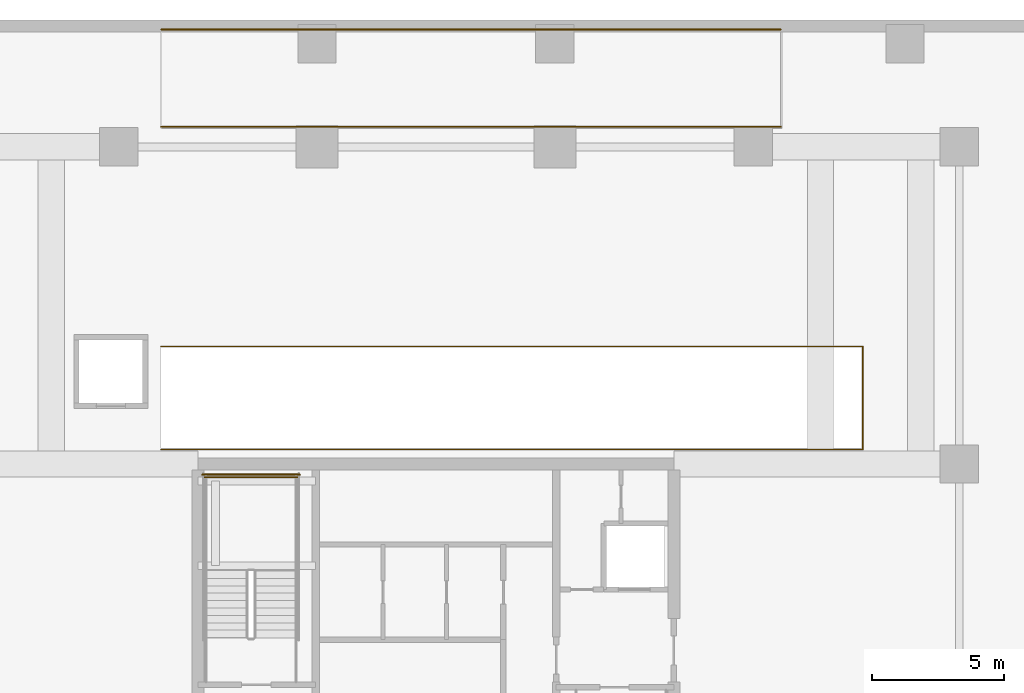
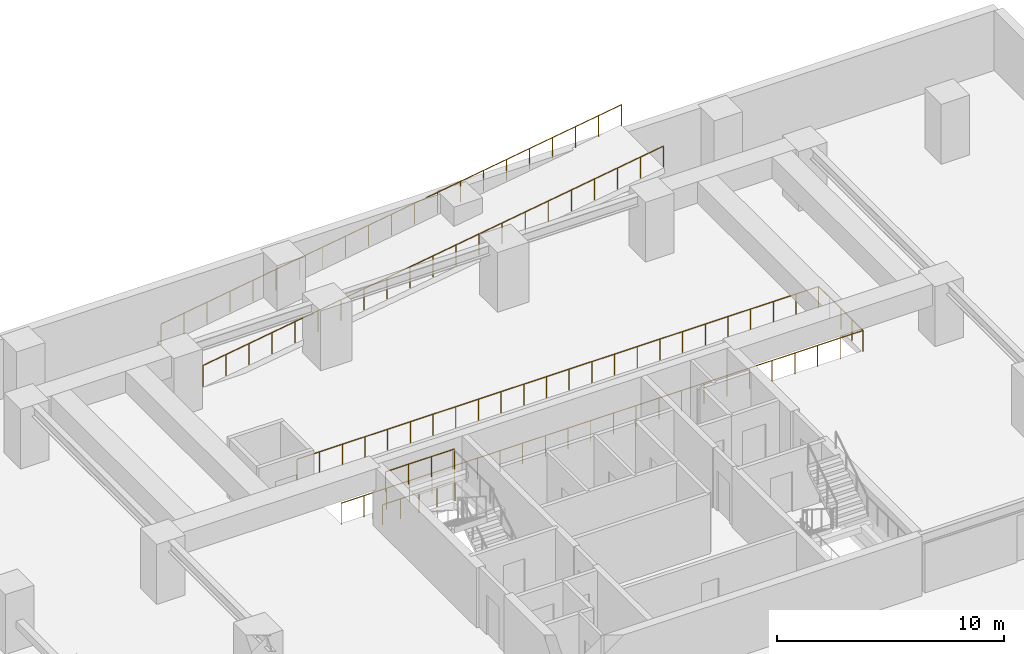
# One storey, part 10 of 10: 5 railings.
"""IFC4 building model written with IfcOpenShell, lengths in metres."""

from ifc_helpers import new_model, si_unit, direction, frame, origin, origin_2d, place, context, subcontext, project, spatial, circle, extrude, material, type_object, element, save


model = new_model("IFC4")

# Units and contexts
model_context = context("Model", 3, precision=1e-05, world=origin(), true_north=direction((0.0, 1.0)))
body_context = subcontext(model_context, "Body", "Model", "MODEL_VIEW")
ifc_project = project(units=[si_unit("LENGTHUNIT", "METRE"), si_unit("AREAUNIT", "SQUARE_METRE"), si_unit("VOLUMEUNIT", "CUBIC_METRE"), si_unit("PLANEANGLEUNIT", "RADIAN"), si_unit("MASSUNIT", "GRAM", prefix="KILO")], contexts=[model_context])

# Site, building, storey
site_placement = place(None, origin())
site = spatial("IfcSite", under=ifc_project, at=site_placement, CompositionType="ELEMENT")
building_placement = place(site_placement, origin())
building = spatial("IfcBuilding", under=site, at=building_placement, Name="Serunith Strait Residences", CompositionType="ELEMENT")
storey_placement = place(building_placement, frame((0.0, 0.0, -3.60009765625)))
storey = spatial("IfcBuildingStorey", under=building, at=storey_placement, Name="B01", CompositionType="ELEMENT", Elevation=-3.60009765625)

# Railings
ifc_material = material(Name="Brushed stainless steel 316L", Category="steel")
railing_type = type_object("IfcRailingType", Name="RLG-STAIR-GUARD", PredefinedType="BALUSTRADE", material=ifc_material)
railing_1_placement = place(storey_placement, frame((27.14990234375, 33.10009765625, 1.800048828125)))
element("IfcRailing", 1, at=railing_1_placement, inside=storey, type_object=railing_type, Name="B01 ST-1 stair guard 5", PredefinedType="BALUSTRADE", context=body_context, shape_type="SweptSolid", body=[
    extrude(circle(Radius=0.02392578125, at=origin_2d()), frame((-0.001953125, 0.0, 1.076171875), z_axis=(-1.0, 0.0, 0.0), x_axis=(0.0, -1.0, 0.0)), (0.0, 0.0, 1.0), 3.49609375),
    extrude(circle(Radius=0.02099609375, at=origin_2d()), origin(), (0.0, 0.0, 1.0), 1.050048828125),
    extrude(circle(Radius=0.02099609375, at=origin_2d()), frame((-1.166748046875, 0.0, 0.0)), (0.0, 0.0, 1.0), 1.050048828125),
    extrude(circle(Radius=0.02099609375, at=origin_2d()), frame((-2.333251953125, 0.0, 0.0)), (0.0, 0.0, 1.0), 1.050048828125),
    extrude(circle(Radius=0.02099609375, at=origin_2d()), frame((-3.5, 0.0, 0.0)), (0.0, 0.0, 1.0), 1.050048828125),
])
railing_2_placement = place(storey_placement, frame((27.25, 33.199951171875, 0.0)))
element("IfcRailing", 2, at=railing_2_placement, inside=storey, type_object=railing_type, Name="B01 ST-1 stair guard 12", PredefinedType="BALUSTRADE", context=body_context, shape_type="SweptSolid", body=[
    extrude(circle(Radius=0.02392578125, at=origin_2d()), frame((-0.001953125, 0.0, 1.076171875), z_axis=(-1.0, 0.0, 0.0), x_axis=(0.0, -1.0, 0.0)), (0.0, 0.0, 1.0), 3.696044921875),
    extrude(circle(Radius=0.02099609375, at=origin_2d()), origin(), (0.0, 0.0, 1.0), 1.050048828125),
    extrude(circle(Radius=0.02099609375, at=origin_2d()), frame((-0.925048828125, 0.0, 0.0)), (0.0, 0.0, 1.0), 1.050048828125),
    extrude(circle(Radius=0.02099609375, at=origin_2d()), frame((-1.85009765625, 0.0, 0.0)), (0.0, 0.0, 1.0), 1.050048828125),
    extrude(circle(Radius=0.02099609375, at=origin_2d()), frame((-2.77490234375, 0.0, 0.0)), (0.0, 0.0, 1.0), 1.050048828125),
    extrude(circle(Radius=0.02099609375, at=origin_2d()), frame((-3.699951171875, 0.0, 0.0)), (0.0, 0.0, 1.0), 1.050048828125),
])
railing_3_placement = place(storey_placement, frame((22.0, 34.14990234375, 0.0)))
element("IfcRailing", 3, at=railing_3_placement, inside=storey, type_object=railing_type, Name="B01 Vehicle Ramp Well Safety Balustrade", PredefinedType="BALUSTRADE", context=body_context, shape_type="SweptSolid", body=[
    extrude(circle(Radius=0.02392578125, at=origin_2d()), frame((0.001953125, 0.0, 1.1259765625), z_axis=(1.0, 0.0, 0.0), x_axis=(0.0, 1.0, 0.0)), (0.0, 0.0, 1.0), 26.546142578125),
    extrude(circle(Radius=0.02392578125, at=origin_2d()), frame((26.550048828125, 0.001953125, 1.1259765625), z_axis=(0.0, 1.0, 0.0), x_axis=(-1.0, 0.0, 0.0)), (0.0, 0.0, 1.0), 3.896240234375),
    extrude(circle(Radius=0.02392578125, at=origin_2d()), frame((26.548095703125, 3.900146484375, 1.1259765625), z_axis=(-1.0, 0.0, 0.0), x_axis=(0.0, -1.0, 0.0)), (0.0, 0.0, 1.0), 26.546142578125),
    extrude(circle(Radius=0.02099609375, at=origin_2d()), origin(), (0.0, 0.0, 1.0), 1.099853515625),
    extrude(circle(Radius=0.02099609375, at=origin_2d()), frame((1.154296875, 0.0, 0.0)), (0.0, 0.0, 1.0), 1.099853515625),
    extrude(circle(Radius=0.02099609375, at=origin_2d()), frame((2.30859375, 0.0, 0.0)), (0.0, 0.0, 1.0), 1.099853515625),
    extrude(circle(Radius=0.02099609375, at=origin_2d()), frame((3.463134765625, 0.0, 0.0)), (0.0, 0.0, 1.0), 1.099853515625),
    extrude(circle(Radius=0.02099609375, at=origin_2d()), frame((4.617431640625, 0.0, 0.0)), (0.0, 0.0, 1.0), 1.099853515625),
    extrude(circle(Radius=0.02099609375, at=origin_2d()), frame((5.771728515625, 0.0, 0.0)), (0.0, 0.0, 1.0), 1.099853515625),
    extrude(circle(Radius=0.02099609375, at=origin_2d()), frame((6.926025390625, 0.0, 0.0)), (0.0, 0.0, 1.0), 1.099853515625),
    extrude(circle(Radius=0.02099609375, at=origin_2d()), frame((8.08056640625, 0.0, 0.0)), (0.0, 0.0, 1.0), 1.099853515625),
    extrude(circle(Radius=0.02099609375, at=origin_2d()), frame((9.23486328125, 0.0, 0.0)), (0.0, 0.0, 1.0), 1.099853515625),
    extrude(circle(Radius=0.02099609375, at=origin_2d()), frame((10.38916015625, 0.0, 0.0)), (0.0, 0.0, 1.0), 1.099853515625),
    extrude(circle(Radius=0.02099609375, at=origin_2d()), frame((11.54345703125, 0.0, 0.0)), (0.0, 0.0, 1.0), 1.099853515625),
    extrude(circle(Radius=0.02099609375, at=origin_2d()), frame((12.69775390625, 0.0, 0.0)), (0.0, 0.0, 1.0), 1.099853515625),
    extrude(circle(Radius=0.02099609375, at=origin_2d()), frame((13.852294921875, 0.0, 0.0)), (0.0, 0.0, 1.0), 1.099853515625),
    extrude(circle(Radius=0.02099609375, at=origin_2d()), frame((15.006591796875, 0.0, 0.0)), (0.0, 0.0, 1.0), 1.099853515625),
    extrude(circle(Radius=0.02099609375, at=origin_2d()), frame((16.160888671875, 0.0, 0.0)), (0.0, 0.0, 1.0), 1.099853515625),
    extrude(circle(Radius=0.02099609375, at=origin_2d()), frame((17.315185546875, 0.0, 0.0)), (0.0, 0.0, 1.0), 1.099853515625),
    extrude(circle(Radius=0.02099609375, at=origin_2d()), frame((18.469482421875, 0.0, 0.0)), (0.0, 0.0, 1.0), 1.099853515625),
    extrude(circle(Radius=0.02099609375, at=origin_2d()), frame((19.6240234375, 0.0, 0.0)), (0.0, 0.0, 1.0), 1.099853515625),
    extrude(circle(Radius=0.02099609375, at=origin_2d()), frame((20.7783203125, 0.0, 0.0)), (0.0, 0.0, 1.0), 1.099853515625),
    extrude(circle(Radius=0.02099609375, at=origin_2d()), frame((21.9326171875, 0.0, 0.0)), (0.0, 0.0, 1.0), 1.099853515625),
    extrude(circle(Radius=0.02099609375, at=origin_2d()), frame((23.0869140625, 0.0, 0.0)), (0.0, 0.0, 1.0), 1.099853515625),
    extrude(circle(Radius=0.02099609375, at=origin_2d()), frame((24.241455078125, 0.0, 0.0)), (0.0, 0.0, 1.0), 1.099853515625),
    extrude(circle(Radius=0.02099609375, at=origin_2d()), frame((25.395751953125, 0.0, 0.0)), (0.0, 0.0, 1.0), 1.099853515625),
    extrude(circle(Radius=0.02099609375, at=origin_2d()), frame((26.550048828125, 0.0, 0.0)), (0.0, 0.0, 1.0), 1.099853515625),
    extrude(circle(Radius=0.02099609375, at=origin_2d()), frame((26.550048828125, 0.97509765625, 0.0)), (0.0, 0.0, 1.0), 1.099853515625),
    extrude(circle(Radius=0.02099609375, at=origin_2d()), frame((26.550048828125, 1.9501953125, 0.0)), (0.0, 0.0, 1.0), 1.099853515625),
    extrude(circle(Radius=0.02099609375, at=origin_2d()), frame((26.550048828125, 2.925048828125, 0.0)), (0.0, 0.0, 1.0), 1.099853515625),
    extrude(circle(Radius=0.02099609375, at=origin_2d()), frame((26.550048828125, 3.900146484375, 0.0)), (0.0, 0.0, 1.0), 1.099853515625),
    extrude(circle(Radius=0.02099609375, at=origin_2d()), frame((25.395751953125, 3.900146484375, 0.0)), (0.0, 0.0, 1.0), 1.099853515625),
    extrude(circle(Radius=0.02099609375, at=origin_2d()), frame((24.241455078125, 3.900146484375, 0.0)), (0.0, 0.0, 1.0), 1.099853515625),
    extrude(circle(Radius=0.02099609375, at=origin_2d()), frame((23.0869140625, 3.900146484375, 0.0)), (0.0, 0.0, 1.0), 1.099853515625),
    extrude(circle(Radius=0.02099609375, at=origin_2d()), frame((21.9326171875, 3.900146484375, 0.0)), (0.0, 0.0, 1.0), 1.099853515625),
    extrude(circle(Radius=0.02099609375, at=origin_2d()), frame((20.7783203125, 3.900146484375, 0.0)), (0.0, 0.0, 1.0), 1.099853515625),
    extrude(circle(Radius=0.02099609375, at=origin_2d()), frame((19.6240234375, 3.900146484375, 0.0)), (0.0, 0.0, 1.0), 1.099853515625),
    extrude(circle(Radius=0.02099609375, at=origin_2d()), frame((18.469482421875, 3.900146484375, 0.0)), (0.0, 0.0, 1.0), 1.099853515625),
    extrude(circle(Radius=0.02099609375, at=origin_2d()), frame((17.315185546875, 3.900146484375, 0.0)), (0.0, 0.0, 1.0), 1.099853515625),
    extrude(circle(Radius=0.02099609375, at=origin_2d()), frame((16.160888671875, 3.900146484375, 0.0)), (0.0, 0.0, 1.0), 1.099853515625),
    extrude(circle(Radius=0.02099609375, at=origin_2d()), frame((15.006591796875, 3.900146484375, 0.0)), (0.0, 0.0, 1.0), 1.099853515625),
    extrude(circle(Radius=0.02099609375, at=origin_2d()), frame((13.852294921875, 3.900146484375, 0.0)), (0.0, 0.0, 1.0), 1.099853515625),
    extrude(circle(Radius=0.02099609375, at=origin_2d()), frame((12.69775390625, 3.900146484375, 0.0)), (0.0, 0.0, 1.0), 1.099853515625),
    extrude(circle(Radius=0.02099609375, at=origin_2d()), frame((11.54345703125, 3.900146484375, 0.0)), (0.0, 0.0, 1.0), 1.099853515625),
    extrude(circle(Radius=0.02099609375, at=origin_2d()), frame((10.38916015625, 3.900146484375, 0.0)), (0.0, 0.0, 1.0), 1.099853515625),
    extrude(circle(Radius=0.02099609375, at=origin_2d()), frame((9.23486328125, 3.900146484375, 0.0)), (0.0, 0.0, 1.0), 1.099853515625),
    extrude(circle(Radius=0.02099609375, at=origin_2d()), frame((8.08056640625, 3.900146484375, 0.0)), (0.0, 0.0, 1.0), 1.099853515625),
    extrude(circle(Radius=0.02099609375, at=origin_2d()), frame((6.926025390625, 3.900146484375, 0.0)), (0.0, 0.0, 1.0), 1.099853515625),
    extrude(circle(Radius=0.02099609375, at=origin_2d()), frame((5.771728515625, 3.900146484375, 0.0)), (0.0, 0.0, 1.0), 1.099853515625),
    extrude(circle(Radius=0.02099609375, at=origin_2d()), frame((4.617431640625, 3.900146484375, 0.0)), (0.0, 0.0, 1.0), 1.099853515625),
    extrude(circle(Radius=0.02099609375, at=origin_2d()), frame((3.463134765625, 3.900146484375, 0.0)), (0.0, 0.0, 1.0), 1.099853515625),
    extrude(circle(Radius=0.02099609375, at=origin_2d()), frame((2.30859375, 3.900146484375, 0.0)), (0.0, 0.0, 1.0), 1.099853515625),
    extrude(circle(Radius=0.02099609375, at=origin_2d()), frame((1.154296875, 3.900146484375, 0.0)), (0.0, 0.0, 1.0), 1.099853515625),
    extrude(circle(Radius=0.02099609375, at=origin_2d()), frame((0.0, 3.900146484375, 0.0)), (0.0, 0.0, 1.0), 1.099853515625),
])
railing_4_placement = place(storey_placement, frame((22.0048828125, 46.360107421875, 0.0)))
element("IfcRailing", 4, at=railing_4_placement, inside=storey, type_object=railing_type, Name="B01 Vehicle Ramp VR-B01-L00 S Safety Balustrade", PredefinedType="BALUSTRADE", context=body_context, shape_type="SweptSolid", body=[
    extrude(circle(Radius=0.02392578125, at=origin_2d()), frame((0.001953125, 0.0, 1.126220703125), z_axis=(0.98841022659, 0.0, 0.151806534681), x_axis=(0.0, 1.0, 0.0)), (0.0, 0.0, 1.0), 23.7109375),
    extrude(circle(Radius=0.02099609375, at=origin_2d()), origin(), (0.0, 0.0, 1.0), 1.099853515625),
    extrude(circle(Radius=0.02099609375, at=origin_2d()), frame((1.172119140625, 0.0, 0.179931640625)), (0.0, 0.0, 1.0), 1.099853515625),
    extrude(circle(Radius=0.02099609375, at=origin_2d()), frame((2.343994140625, 0.0, 0.360107421875)), (0.0, 0.0, 1.0), 1.099853515625),
    extrude(circle(Radius=0.02099609375, at=origin_2d()), frame((3.51611328125, 0.0, 0.5400390625)), (0.0, 0.0, 1.0), 1.099853515625),
    extrude(circle(Radius=0.02099609375, at=origin_2d()), frame((4.68798828125, 0.0, 0.719970703125)), (0.0, 0.0, 1.0), 1.099853515625),
    extrude(circle(Radius=0.02099609375, at=origin_2d()), frame((5.860107421875, 0.0, 0.89990234375)), (0.0, 0.0, 1.0), 1.099853515625),
    extrude(circle(Radius=0.02099609375, at=origin_2d()), frame((7.031982421875, 0.0, 1.080078125)), (0.0, 0.0, 1.0), 1.099853515625),
    extrude(circle(Radius=0.02099609375, at=origin_2d()), frame((8.2041015625, 0.0, 1.260009765625)), (0.0, 0.0, 1.0), 1.099853515625),
    extrude(circle(Radius=0.02099609375, at=origin_2d()), frame((9.3759765625, 0.0, 1.43994140625)), (0.0, 0.0, 1.0), 1.099853515625),
    extrude(circle(Radius=0.02099609375, at=origin_2d()), frame((10.548095703125, 0.0, 1.6201171875)), (0.0, 0.0, 1.0), 1.099853515625),
    extrude(circle(Radius=0.02099609375, at=origin_2d()), frame((11.72021484375, 0.0, 1.800048828125)), (0.0, 0.0, 1.0), 1.099853515625),
    extrude(circle(Radius=0.02099609375, at=origin_2d()), frame((12.89208984375, 0.0, 1.97998046875)), (0.0, 0.0, 1.0), 1.099853515625),
    extrude(circle(Radius=0.02099609375, at=origin_2d()), frame((14.064208984375, 0.0, 2.16015625)), (0.0, 0.0, 1.0), 1.099853515625),
    extrude(circle(Radius=0.02099609375, at=origin_2d()), frame((15.236083984375, 0.0, 2.340087890625)), (0.0, 0.0, 1.0), 1.099853515625),
    extrude(circle(Radius=0.02099609375, at=origin_2d()), frame((16.408203125, 0.0, 2.52001953125)), (0.0, 0.0, 1.0), 1.099853515625),
    extrude(circle(Radius=0.02099609375, at=origin_2d()), frame((17.580078125, 0.0, 2.7001953125)), (0.0, 0.0, 1.0), 1.099853515625),
    extrude(circle(Radius=0.02099609375, at=origin_2d()), frame((18.752197265625, 0.0, 2.880126953125)), (0.0, 0.0, 1.0), 1.099853515625),
    extrude(circle(Radius=0.02099609375, at=origin_2d()), frame((19.924072265625, 0.0, 3.06005859375)), (0.0, 0.0, 1.0), 1.099853515625),
    extrude(circle(Radius=0.02099609375, at=origin_2d()), frame((21.09619140625, 0.0, 3.239990234375)), (0.0, 0.0, 1.0), 1.099853515625),
    extrude(circle(Radius=0.02099609375, at=origin_2d()), frame((22.26806640625, 0.0, 3.420166015625)), (0.0, 0.0, 1.0), 1.099853515625),
    extrude(circle(Radius=0.02099609375, at=origin_2d()), frame((23.440185546875, 0.0, 3.60009765625)), (0.0, 0.0, 1.0), 1.099853515625),
])
railing_5_placement = place(storey_placement, frame((22.0048828125, 50.0400390625, 0.0)))
element("IfcRailing", 5, at=railing_5_placement, inside=storey, type_object=railing_type, Name="B01 Vehicle Ramp VR-B01-L00 N Safety Balustrade", PredefinedType="BALUSTRADE", context=body_context, shape_type="SweptSolid", body=[
    extrude(circle(Radius=0.02392578125, at=origin_2d()), frame((0.001953125, 0.0, 1.126220703125), z_axis=(0.98841022659, 0.0, 0.151806534681), x_axis=(0.0, 1.0, 0.0)), (0.0, 0.0, 1.0), 23.7109375),
    extrude(circle(Radius=0.02099609375, at=origin_2d()), origin(), (0.0, 0.0, 1.0), 1.099853515625),
    extrude(circle(Radius=0.02099609375, at=origin_2d()), frame((1.172119140625, 0.0, 0.179931640625)), (0.0, 0.0, 1.0), 1.099853515625),
    extrude(circle(Radius=0.02099609375, at=origin_2d()), frame((2.343994140625, 0.0, 0.360107421875)), (0.0, 0.0, 1.0), 1.099853515625),
    extrude(circle(Radius=0.02099609375, at=origin_2d()), frame((3.51611328125, 0.0, 0.5400390625)), (0.0, 0.0, 1.0), 1.099853515625),
    extrude(circle(Radius=0.02099609375, at=origin_2d()), frame((4.68798828125, 0.0, 0.719970703125)), (0.0, 0.0, 1.0), 1.099853515625),
    extrude(circle(Radius=0.02099609375, at=origin_2d()), frame((5.860107421875, 0.0, 0.89990234375)), (0.0, 0.0, 1.0), 1.099853515625),
    extrude(circle(Radius=0.02099609375, at=origin_2d()), frame((7.031982421875, 0.0, 1.080078125)), (0.0, 0.0, 1.0), 1.099853515625),
    extrude(circle(Radius=0.02099609375, at=origin_2d()), frame((8.2041015625, 0.0, 1.260009765625)), (0.0, 0.0, 1.0), 1.099853515625),
    extrude(circle(Radius=0.02099609375, at=origin_2d()), frame((9.3759765625, 0.0, 1.43994140625)), (0.0, 0.0, 1.0), 1.099853515625),
    extrude(circle(Radius=0.02099609375, at=origin_2d()), frame((10.548095703125, 0.0, 1.6201171875)), (0.0, 0.0, 1.0), 1.099853515625),
    extrude(circle(Radius=0.02099609375, at=origin_2d()), frame((11.72021484375, 0.0, 1.800048828125)), (0.0, 0.0, 1.0), 1.099853515625),
    extrude(circle(Radius=0.02099609375, at=origin_2d()), frame((12.89208984375, 0.0, 1.97998046875)), (0.0, 0.0, 1.0), 1.099853515625),
    extrude(circle(Radius=0.02099609375, at=origin_2d()), frame((14.064208984375, 0.0, 2.16015625)), (0.0, 0.0, 1.0), 1.099853515625),
    extrude(circle(Radius=0.02099609375, at=origin_2d()), frame((15.236083984375, 0.0, 2.340087890625)), (0.0, 0.0, 1.0), 1.099853515625),
    extrude(circle(Radius=0.02099609375, at=origin_2d()), frame((16.408203125, 0.0, 2.52001953125)), (0.0, 0.0, 1.0), 1.099853515625),
    extrude(circle(Radius=0.02099609375, at=origin_2d()), frame((17.580078125, 0.0, 2.7001953125)), (0.0, 0.0, 1.0), 1.099853515625),
    extrude(circle(Radius=0.02099609375, at=origin_2d()), frame((18.752197265625, 0.0, 2.880126953125)), (0.0, 0.0, 1.0), 1.099853515625),
    extrude(circle(Radius=0.02099609375, at=origin_2d()), frame((19.924072265625, 0.0, 3.06005859375)), (0.0, 0.0, 1.0), 1.099853515625),
    extrude(circle(Radius=0.02099609375, at=origin_2d()), frame((21.09619140625, 0.0, 3.239990234375)), (0.0, 0.0, 1.0), 1.099853515625),
    extrude(circle(Radius=0.02099609375, at=origin_2d()), frame((22.26806640625, 0.0, 3.420166015625)), (0.0, 0.0, 1.0), 1.099853515625),
    extrude(circle(Radius=0.02099609375, at=origin_2d()), frame((23.440185546875, 0.0, 3.60009765625)), (0.0, 0.0, 1.0), 1.099853515625),
])

save(model, "model.ifc")
